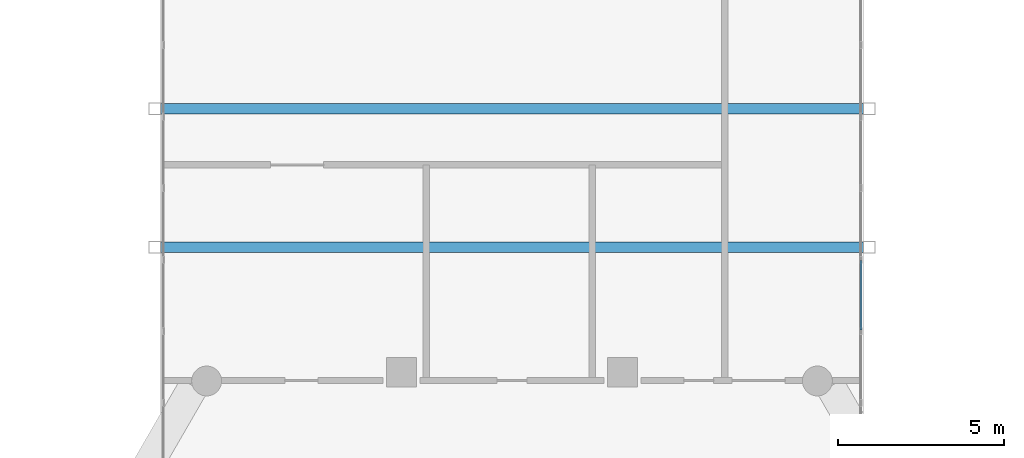
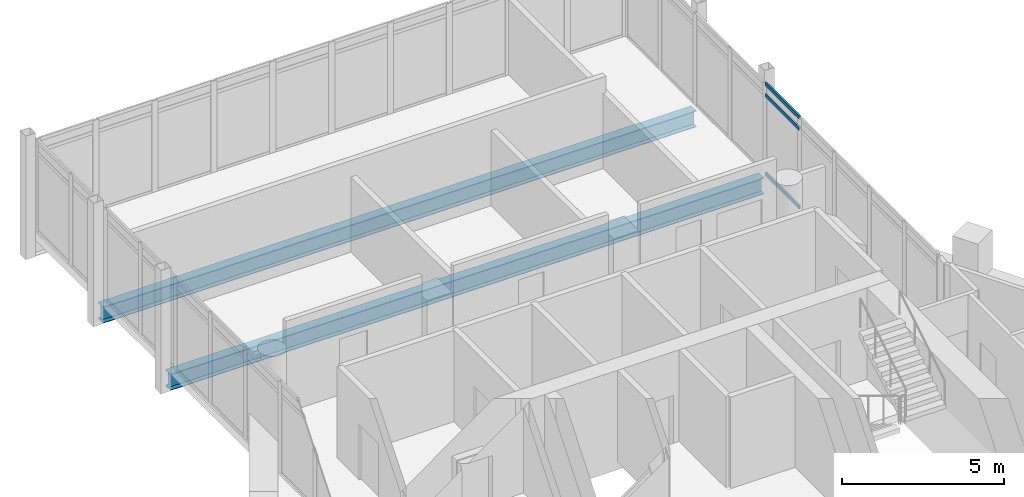
# One storey, part 14 of 25: 3 members, 2 beams, 1 element without a shape of its own.
"""IFC4 building model written with IfcOpenShell, lengths in metres."""

from ifc_helpers import new_model, si_unit, direction, frame, origin, origin_2d, place, context, subcontext, project, spatial, hollow_rectangle, i_section, extrude, material, material_profile, profile_set, type_object, element, aggregate, save


model = new_model("IFC4")

# Units and contexts
model_context = context("Model", 3, precision=1e-05, world=origin(), true_north=direction((0.0, 1.0)))
body_context = subcontext(model_context, "Body", "Model", "MODEL_VIEW")
ifc_project = project(units=[si_unit("LENGTHUNIT", "METRE"), si_unit("AREAUNIT", "SQUARE_METRE"), si_unit("VOLUMEUNIT", "CUBIC_METRE"), si_unit("PLANEANGLEUNIT", "RADIAN"), si_unit("MASSUNIT", "GRAM", prefix="KILO")], contexts=[model_context])

# Site, building, storey
site_placement = place(None, origin())
site = spatial("IfcSite", under=ifc_project, at=site_placement, CompositionType="ELEMENT")
building_placement = place(site_placement, origin())
building = spatial("IfcBuilding", under=site, at=building_placement, Name="Ostrander Bayou Hotel Tower", CompositionType="ELEMENT")
storey_placement = place(building_placement, frame((0.0, 0.0, 233.25)))
storey = spatial("IfcBuildingStorey", under=building, at=storey_placement, Name="L58", CompositionType="ELEMENT", Elevation=233.25)

# Curtain wall, members
ifc_material_1 = material(Name="Aluminium and clear glass", Category="aluminium")
curtain_wall_type = type_object("IfcCurtainWallType", Name="CW-BAR glazed wall", PredefinedType="NOTDEFINED", material=ifc_material_1)
curtain_wall_placement = place(storey_placement, origin())
curtain_wall = element("IfcCurtainWall", 1, at=curtain_wall_placement, inside=storey, type_object=curtain_wall_type, Name="CW-BAR L58:SB5N:W", PredefinedType="NOTDEFINED")
ifc_material_2 = material(Name="Aluminium", Category="aluminium")
ifc_material_profile_1 = material_profile(ifc_material_2, hollow_rectangle(XDim=0.06005859375, YDim=0.1298828125, WallThickness=0.00390625, at=origin_2d()))
ifc_profile_set_1 = profile_set([ifc_material_profile_1], Name="Aluminium")
member_type = type_object("IfcMemberType", Name="CW-BR transom 60 x 130 mm", PredefinedType="USERDEFINED", material=ifc_profile_set_1)
member_1_placement = place(storey_placement, frame((10.51220703125, 18.117919921875, 0.030029296875), z_axis=(0.0, 1.0, 0.0), x_axis=(-1.0, 0.0, 0.0)))
member_1 = element("IfcMember", 2, at=member_1_placement, type_object=member_type, Name="CW-BAR transom 5.1", ObjectType="TRANSOM", PredefinedType="USERDEFINED", context=body_context, shape_type="SweptSolid", body=[
    extrude(hollow_rectangle(XDim=0.06005859375, YDim=0.1298828125, WallThickness=0.00390625, at=origin_2d()), origin(), (0.0, 0.0, 1.0), 2.095703125),
])
member_2_placement = place(storey_placement, frame((10.51220703125, 18.117919921875, 3.0), z_axis=(0.0, 1.0, 0.0), x_axis=(-1.0, 0.0, 0.0)))
member_2 = element("IfcMember", 3, at=member_2_placement, type_object=member_type, Name="CW-BAR transom 5.2", ObjectType="TRANSOM", PredefinedType="USERDEFINED", context=body_context, shape_type="SweptSolid", body=[
    extrude(hollow_rectangle(XDim=0.06005859375, YDim=0.1298828125, WallThickness=0.00390625, at=origin_2d()), origin(), (0.0, 0.0, 1.0), 2.095703125),
])
member_3_placement = place(storey_placement, frame((10.51220703125, 18.117919921875, 3.419921875), z_axis=(0.0, 1.0, 0.0), x_axis=(-1.0, 0.0, 0.0)))
member_3 = element("IfcMember", 4, at=member_3_placement, type_object=member_type, Name="CW-BAR transom 5.3", ObjectType="TRANSOM", PredefinedType="USERDEFINED", context=body_context, shape_type="SweptSolid", body=[
    extrude(hollow_rectangle(XDim=0.06005859375, YDim=0.1298828125, WallThickness=0.00390625, at=origin_2d()), origin(), (0.0, 0.0, 1.0), 2.095703125),
])
aggregate(curtain_wall, [member_1, member_2, member_3])

# Beams
ifc_material_3 = material(Name="Steel ASTM A992", Category="steel")
ifc_material_profile_2 = material_profile(ifc_material_3, i_section(OverallWidth=0.32373046875, OverallDepth=0.611083984375, WebThickness=0.0126953125, FlangeThickness=0.01904296875, at=origin_2d()))
ifc_profile_set_2 = profile_set([ifc_material_profile_2], Name="Steel ASTM A992")
beam_type = type_object("IfcBeamType", Name="TF2 bar floor beam W24x104", PredefinedType="BEAM", material=ifc_profile_set_2)
for number, where, z_axis, x_axis, name in (
    (5, (-10.587158203125, 24.790283203125, -0.605712890625), (1.0, 0.0, 0.0), (0.0, 1.0, 0.0), "TF2 SB5W L4-2"),
    (6, (-10.587158203125, 20.6142578125, -0.605712890625), (1.0, 0.0, 0.0), (0.0, 1.0, 0.0), "TF2 SB5W L4-3"),
):
    element("IfcBeam", number, at=place(storey_placement, frame(where, z_axis=z_axis, x_axis=x_axis)), inside=storey, type_object=beam_type, Name=name, PredefinedType="BEAM", context=body_context, shape_type="SweptSolid", body=[
        extrude(i_section(OverallWidth=0.32373046875, OverallDepth=0.611083984375, WebThickness=0.0126953125, FlangeThickness=0.01904296875, at=origin_2d()), origin(), (0.0, 0.0, 1.0), 21.17431640625),
    ])

save(model, "model.ifc")
